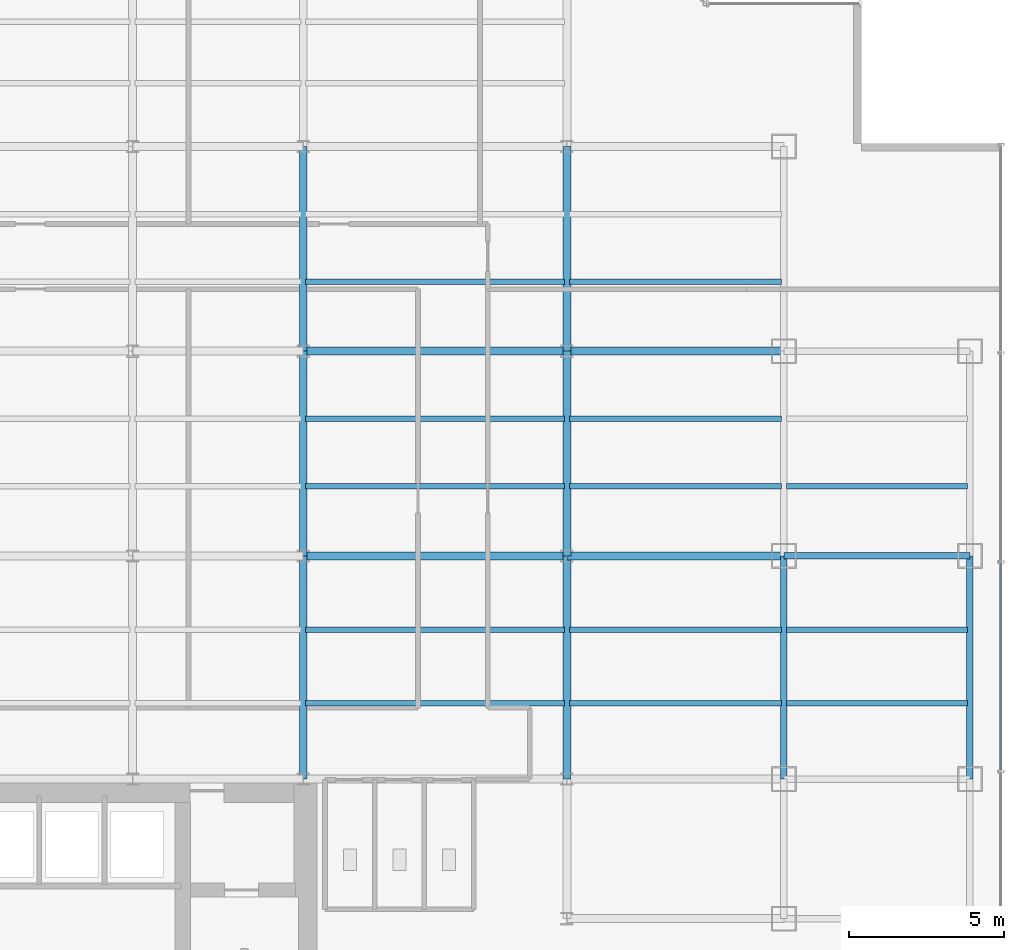
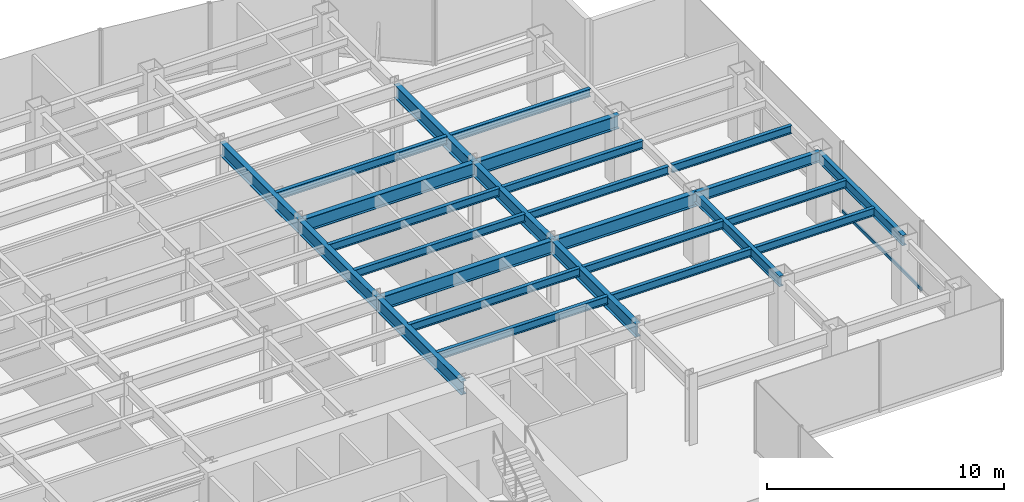
# One storey, part 11 of 26: 26 beams, 1 member, 1 element without a shape of its own.
"""IFC4 building model written with IfcOpenShell, lengths in metres."""

from ifc_helpers import new_model, si_unit, derived_unit, direction, frame, origin, origin_2d, place, context, subcontext, project, spatial, hollow_rectangle, i_section, extrude, source, transform, mapped, material, material_profile, profile_set, type_object, element, aggregate, save


model = new_model("IFC4")

# Units and contexts
model_context = context("Model", 3, precision=1e-05, world=origin(), true_north=direction((0.0, 1.0)))
body_context = subcontext(model_context, "Body", "Model", "MODEL_VIEW")
ifc_project = project(units=[si_unit("LENGTHUNIT", "METRE"), si_unit("AREAUNIT", "SQUARE_METRE"), si_unit("VOLUMEUNIT", "CUBIC_METRE"), si_unit("PLANEANGLEUNIT", "RADIAN"), si_unit("MASSUNIT", "GRAM", prefix="KILO"), derived_unit("THERMALTRANSMITTANCEUNIT", [(si_unit("POWERUNIT", "WATT"), 1), (si_unit("LENGTHUNIT", "METRE"), -2), (si_unit("THERMODYNAMICTEMPERATUREUNIT", "KELVIN"), -1)])], contexts=[model_context])

# Site, building, storey
site_placement = place(None, origin())
site = spatial("IfcSite", under=ifc_project, at=site_placement, CompositionType="ELEMENT")
building_placement = place(site_placement, origin())
building = spatial("IfcBuilding", under=site, at=building_placement, Name="Skarnbrae Concourse Arena and Tower", CompositionType="ELEMENT")
storey_placement = place(building_placement, frame((0.0, 0.0, 103.25)))
storey = spatial("IfcBuildingStorey", under=building, at=storey_placement, Name="L25", CompositionType="ELEMENT", Elevation=103.25)

# Beams
ifc_material_1 = material(Name="Steel CSA G40.21 350W", Category="steel")
ifc_material_profile_1 = material_profile(ifc_material_1, i_section(OverallWidth=0.256103515625, OverallDepth=0.693115234375, WebThickness=0.014404296875, FlangeThickness=0.023681640625, at=origin_2d()), Name="W690X170")
ifc_profile_set_1 = profile_set([ifc_material_profile_1], Name="Steel CSA G40.21 350W")
beam_type_1 = type_object("IfcBeamType", Name="BM-GIRD-W690X170", PredefinedType="BEAM", material=ifc_profile_set_1)
shared_shape_1 = source(origin(), body_context, "Body", "SweptSolid", [
    extrude(i_section(OverallWidth=0.256103515625, OverallDepth=0.693115234375, WebThickness=0.014404296875, FlangeThickness=0.023681640625, at=origin_2d()), origin(), (0.0, 0.0, 1.0), 7.0),
])
for number, where, z_axis, x_axis, name in (
    (1, (42.0, 21.199951171875, 3.053466796875), (1.0, 0.0, 0.0), (0.0, 1.0, 0.0), "L25 Primary E-W girder Y21.2-7"),
    (2, (42.0, 27.800048828125, 3.053466796875), (1.0, 0.0, 0.0), (0.0, 1.0, 0.0), "L25 Primary E-W girder Y27.8-7"),
):
    element("IfcBeam", number, at=place(storey_placement, frame(where, z_axis=z_axis, x_axis=x_axis)), inside=storey, type_object=beam_type_1, Name=name, PredefinedType="BEAM", context=body_context, shape_type="MappedRepresentation", body=[
        mapped(shared_shape_1, transform((0.0, 0.0, 0.0))),
    ])
ifc_material_profile_2 = material_profile(ifc_material_1, i_section(OverallWidth=0.208984375, OverallDepth=0.532958984375, WebThickness=0.01025390625, FlangeThickness=0.015625, at=origin_2d()), Name="W530X92")
ifc_profile_set_2 = profile_set([ifc_material_profile_2], Name="Steel CSA G40.21 350W")
beam_type_2 = type_object("IfcBeamType", Name="BM-SPAN-W530X92", PredefinedType="SPANDREL", material=ifc_profile_set_2)
shared_shape_2 = source(origin(), body_context, "Body", "SweptSolid", [
    extrude(i_section(OverallWidth=0.208984375, OverallDepth=0.532958984375, WebThickness=0.01025390625, FlangeThickness=0.015625, at=origin_2d()), origin(), (0.0, 0.0, 1.0), 6.0),
])
beam_placement = place(storey_placement, frame((49.0, 21.199951171875, 3.133544921875), z_axis=(1.0, 0.0, 0.0), x_axis=(0.0, 1.0, 0.0)))
element("IfcBeam", 3, at=beam_placement, inside=storey, type_object=beam_type_2, Name="L25 Perimeter spandrel Y21.2-8", PredefinedType="SPANDREL", context=body_context, shape_type="MappedRepresentation", body=[
    mapped(shared_shape_2, transform((0.0, 0.0, 0.0))),
])
shared_shape_3 = source(origin(), body_context, "Body", "SweptSolid", [
    extrude(i_section(OverallWidth=0.256103515625, OverallDepth=0.693115234375, WebThickness=0.014404296875, FlangeThickness=0.023681640625, at=origin_2d()), origin(), (0.0, 0.0, 1.0), 6.60009765625),
])
for number, where, z_axis, x_axis, name in (
    (4, (33.5, 21.199951171875, 3.053466796875), (0.0, 1.0, 0.0), (-1.0, 0.0, 0.0), "L25 Primary N-S girder X33.5-2"),
    (5, (42.0, 21.199951171875, 3.053466796875), (0.0, 1.0, 0.0), (-1.0, 0.0, 0.0), "L25 Primary N-S girder X42.0-3"),
):
    element("IfcBeam", number, at=place(storey_placement, frame(where, z_axis=z_axis, x_axis=x_axis)), inside=storey, type_object=beam_type_1, Name=name, PredefinedType="BEAM", context=body_context, shape_type="MappedRepresentation", body=[
        mapped(shared_shape_3, transform((0.0, 0.0, 0.0))),
    ])
shared_shape_4 = source(origin(), body_context, "Body", "SweptSolid", [
    extrude(i_section(OverallWidth=0.256103515625, OverallDepth=0.693115234375, WebThickness=0.014404296875, FlangeThickness=0.023681640625, at=origin_2d()), origin(), (0.0, 0.0, 1.0), 8.5),
])
for number, where, z_axis, x_axis, name in (
    (6, (33.5, 21.199951171875, 3.053466796875), (1.0, 0.0, 0.0), (0.0, 1.0, 0.0), "L25 Primary E-W girder Y21.2-6"),
    (7, (33.5, 27.800048828125, 3.053466796875), (1.0, 0.0, 0.0), (0.0, 1.0, 0.0), "L25 Primary E-W girder Y27.8-6"),
):
    element("IfcBeam", number, at=place(storey_placement, frame(where, z_axis=z_axis, x_axis=x_axis)), inside=storey, type_object=beam_type_1, Name=name, PredefinedType="BEAM", context=body_context, shape_type="MappedRepresentation", body=[
        mapped(shared_shape_4, transform((0.0, 0.0, 0.0))),
    ])
shared_shape_5 = source(origin(), body_context, "Body", "SweptSolid", [
    extrude(i_section(OverallWidth=0.208984375, OverallDepth=0.532958984375, WebThickness=0.01025390625, FlangeThickness=0.015625, at=origin_2d()), origin(), (0.0, 0.0, 1.0), 7.199951171875),
])
for number, where, z_axis, x_axis, name in (
    (8, (49.0, 14.0, 3.133544921875), (0.0, 1.0, 0.0), (-1.0, 0.0, 0.0), "L25 Perimeter spandrel X49.0-2"),
    (9, (55.0, 14.0, 3.133544921875), (0.0, 1.0, 0.0), (-1.0, 0.0, 0.0), "L25 Perimeter spandrel X55.0-2"),
):
    element("IfcBeam", number, at=place(storey_placement, frame(where, z_axis=z_axis, x_axis=x_axis)), inside=storey, type_object=beam_type_2, Name=name, PredefinedType="SPANDREL", context=body_context, shape_type="MappedRepresentation", body=[
        mapped(shared_shape_5, transform((0.0, 0.0, 0.0))),
    ])
shared_shape_6 = source(origin(), body_context, "Body", "SweptSolid", [
    extrude(i_section(OverallWidth=0.256103515625, OverallDepth=0.693115234375, WebThickness=0.014404296875, FlangeThickness=0.023681640625, at=origin_2d()), origin(), (0.0, 0.0, 1.0), 7.199951171875),
])
for number, where, z_axis, x_axis, name in (
    (10, (33.5, 14.0, 3.053466796875), (0.0, 1.0, 0.0), (-1.0, 0.0, 0.0), "L25 Primary N-S girder X33.5-1"),
    (11, (42.0, 14.0, 3.053466796875), (0.0, 1.0, 0.0), (-1.0, 0.0, 0.0), "L25 Primary N-S girder X42.0-2"),
):
    element("IfcBeam", number, at=place(storey_placement, frame(where, z_axis=z_axis, x_axis=x_axis)), inside=storey, type_object=beam_type_1, Name=name, PredefinedType="BEAM", context=body_context, shape_type="MappedRepresentation", body=[
        mapped(shared_shape_6, transform((0.0, 0.0, 0.0))),
    ])
shared_shape_7 = source(origin(), body_context, "Body", "SweptSolid", [
    extrude(i_section(OverallWidth=0.256103515625, OverallDepth=0.693115234375, WebThickness=0.014404296875, FlangeThickness=0.023681640625, at=origin_2d()), origin(), (0.0, 0.0, 1.0), 6.599853515625),
])
for number, where, z_axis, x_axis, name in (
    (12, (33.5, 27.800048828125, 3.053466796875), (0.0, 1.0, 0.0), (-1.0, 0.0, 0.0), "L25 Primary N-S girder X33.5-3"),
    (13, (42.0, 27.800048828125, 3.053466796875), (0.0, 1.0, 0.0), (-1.0, 0.0, 0.0), "L25 Primary N-S girder X42.0-4"),
):
    element("IfcBeam", number, at=place(storey_placement, frame(where, z_axis=z_axis, x_axis=x_axis)), inside=storey, type_object=beam_type_1, Name=name, PredefinedType="BEAM", context=body_context, shape_type="MappedRepresentation", body=[
        mapped(shared_shape_7, transform((0.0, 0.0, 0.0))),
    ])
ifc_material_profile_3 = material_profile(ifc_material_1, i_section(OverallWidth=0.177978515625, OverallDepth=0.406982421875, WebThickness=0.0078125, FlangeThickness=0.0126953125, at=origin_2d()), Name="W410X60")
ifc_profile_set_3 = profile_set([ifc_material_profile_3], Name="Steel CSA G40.21 350W")
beam_type_3 = type_object("IfcBeamType", Name="BM-JOIST-W410X60", PredefinedType="JOIST", material=ifc_profile_set_3)
shared_shape_8 = source(origin(), body_context, "Body", "SweptSolid", [
    extrude(i_section(OverallWidth=0.177978515625, OverallDepth=0.406982421875, WebThickness=0.0078125, FlangeThickness=0.0126953125, at=origin_2d()), origin(), (0.0, 0.0, 1.0), 8.33984375),
])
for number, where, z_axis, x_axis, name in (
    (14, (33.580078125, 16.447998046875, 3.196533203125), (1.0, 0.0, 0.0), (0.0, 1.0, 0.0), "L25 Secondary floor joist 1.1.6"),
    (15, (33.580078125, 18.823974609375, 3.196533203125), (1.0, 0.0, 0.0), (0.0, 1.0, 0.0), "L25 Secondary floor joist 1.2.6"),
    (16, (33.580078125, 23.444091796875, 3.196533203125), (1.0, 0.0, 0.0), (0.0, 1.0, 0.0), "L25 Secondary floor joist 2.1.6"),
    (17, (33.580078125, 25.6220703125, 3.196533203125), (1.0, 0.0, 0.0), (0.0, 1.0, 0.0), "L25 Secondary floor joist 2.2.6"),
    (18, (33.580078125, 30.0439453125, 3.196533203125), (1.0, 0.0, 0.0), (0.0, 1.0, 0.0), "L25 Secondary floor joist 3.1.5"),
):
    element("IfcBeam", number, at=place(storey_placement, frame(where, z_axis=z_axis, x_axis=x_axis)), inside=storey, type_object=beam_type_3, Name=name, PredefinedType="JOIST", context=body_context, shape_type="MappedRepresentation", body=[
        mapped(shared_shape_8, transform((0.0, 0.0, 0.0))),
    ])
shared_shape_9 = source(origin(), body_context, "Body", "SweptSolid", [
    extrude(i_section(OverallWidth=0.177978515625, OverallDepth=0.406982421875, WebThickness=0.0078125, FlangeThickness=0.0126953125, at=origin_2d()), origin(), (0.0, 0.0, 1.0), 6.83984375),
])
for number, where, z_axis, x_axis, name in (
    (19, (42.080078125, 16.447998046875, 3.196533203125), (1.0, 0.0, 0.0), (0.0, 1.0, 0.0), "L25 Secondary floor joist 1.1.7"),
    (20, (42.080078125, 18.823974609375, 3.196533203125), (1.0, 0.0, 0.0), (0.0, 1.0, 0.0), "L25 Secondary floor joist 1.2.7"),
    (21, (42.080078125, 23.444091796875, 3.196533203125), (1.0, 0.0, 0.0), (0.0, 1.0, 0.0), "L25 Secondary floor joist 2.1.7"),
    (22, (42.080078125, 25.6220703125, 3.196533203125), (1.0, 0.0, 0.0), (0.0, 1.0, 0.0), "L25 Secondary floor joist 2.2.7"),
    (23, (42.080078125, 30.0439453125, 3.196533203125), (1.0, 0.0, 0.0), (0.0, 1.0, 0.0), "L25 Secondary floor joist 3.1.6"),
):
    element("IfcBeam", number, at=place(storey_placement, frame(where, z_axis=z_axis, x_axis=x_axis)), inside=storey, type_object=beam_type_3, Name=name, PredefinedType="JOIST", context=body_context, shape_type="MappedRepresentation", body=[
        mapped(shared_shape_9, transform((0.0, 0.0, 0.0))),
    ])
shared_shape_10 = source(origin(), body_context, "Body", "SweptSolid", [
    extrude(i_section(OverallWidth=0.177978515625, OverallDepth=0.406982421875, WebThickness=0.0078125, FlangeThickness=0.0126953125, at=origin_2d()), origin(), (0.0, 0.0, 1.0), 5.83984375),
])
for number, where, z_axis, x_axis, name in (
    (24, (49.080078125, 16.447998046875, 3.196533203125), (1.0, 0.0, 0.0), (0.0, 1.0, 0.0), "L25 Secondary floor joist 1.1.8"),
    (25, (49.080078125, 18.823974609375, 3.196533203125), (1.0, 0.0, 0.0), (0.0, 1.0, 0.0), "L25 Secondary floor joist 1.2.8"),
    (26, (49.080078125, 23.444091796875, 3.196533203125), (1.0, 0.0, 0.0), (0.0, 1.0, 0.0), "L25 Secondary floor joist 2.1.8"),
):
    element("IfcBeam", number, at=place(storey_placement, frame(where, z_axis=z_axis, x_axis=x_axis)), inside=storey, type_object=beam_type_3, Name=name, PredefinedType="JOIST", context=body_context, shape_type="MappedRepresentation", body=[
        mapped(shared_shape_10, transform((0.0, 0.0, 0.0))),
    ])

# Curtain wall, member
ifc_material_2 = material(Name="Bronze anodised aluminium 6063-T6", Category="aluminium")
curtain_wall_type = type_object("IfcCurtainWallType", Name="CW-SYS-04-MIDZONE", PredefinedType="USERDEFINED", material=ifc_material_2)
curtain_wall_placement = place(storey_placement, origin())
curtain_wall = element("IfcCurtainWall", 27, at=curtain_wall_placement, inside=storey, type_object=curtain_wall_type, Name="L25 Unitised curtain wall CW-L25-E04", ObjectType="UNITISED CURTAIN WALL", PredefinedType="USERDEFINED")
ifc_material_profile_4 = material_profile(ifc_material_2, hollow_rectangle(XDim=0.074951171875, YDim=0.159912109375, WallThickness=0.00439453125, at=origin_2d()), Name="ALU-TRAN-75X160")
ifc_profile_set_4 = profile_set([ifc_material_profile_4], Name="Bronze anodised aluminium 6063-T6")
member_type = type_object("IfcMemberType", Name="CWT-CW-04", PredefinedType="USERDEFINED", material=ifc_profile_set_4)
shared_shape_11 = source(origin(), body_context, "Body", "SweptSolid", [
    extrude(hollow_rectangle(XDim=0.074951171875, YDim=0.159912109375, WallThickness=0.00439453125, at=origin_2d()), origin(), (0.0, 0.0, 1.0), 6.6748046875),
])
member_placement = place(storey_placement, frame((56.0, 14.28759765625, 0.080078125), z_axis=(0.0, 1.0, 0.0), x_axis=(-1.0, 0.0, 0.0)))
member = element("IfcMember", 28, at=member_placement, type_object=member_type, Name="CW-L25-E04 Transom 2", ObjectType="TRANSOM", PredefinedType="USERDEFINED", context=body_context, shape_type="MappedRepresentation", body=[
    mapped(shared_shape_11, transform((0.0, 0.0, 0.0))),
])
aggregate(curtain_wall, [member])

save(model, "model.ifc")
